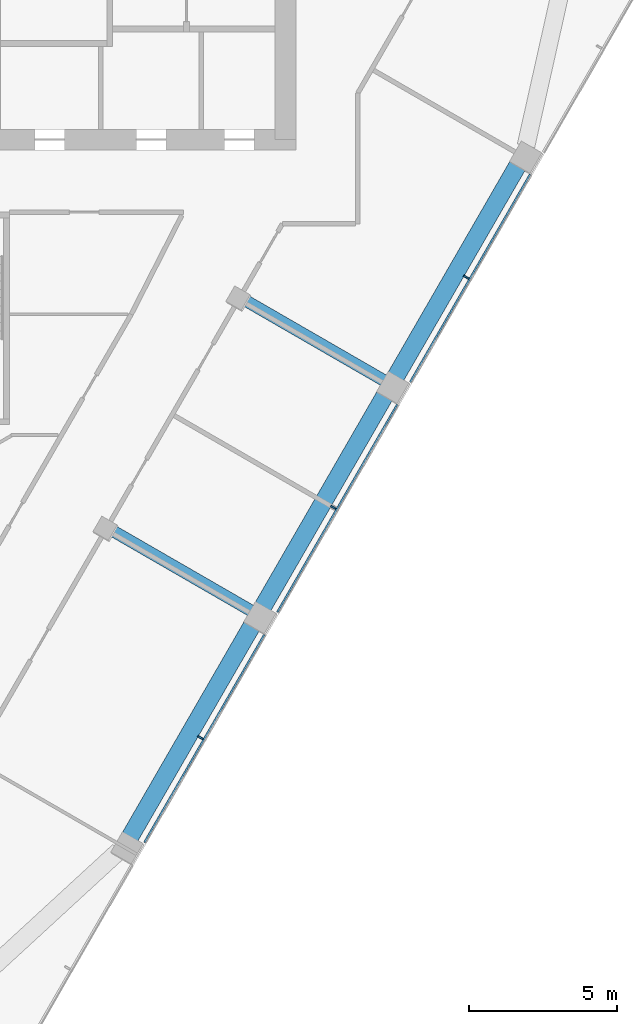
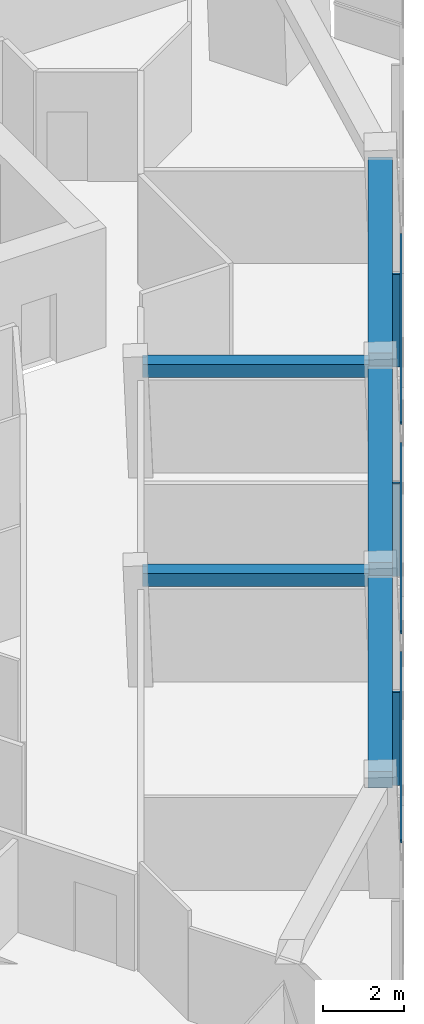
# One storey, part 4 of 13: 6 members, 5 beams, 1 element without a shape of its own.
"""IFC4 building model written with IfcOpenShell, lengths in metres."""

from ifc_helpers import new_model, si_unit, direction, frame, origin, origin_2d, place, context, subcontext, project, spatial, rectangle, extrude, material, layer, layer_set, material_profile, profile_set, type_object, element, aggregate, save


model = new_model("IFC4")

# Units and contexts
model_context = context("Model", 3, precision=1e-05, world=origin(), true_north=direction((0.0, 1.0)))
body_context = subcontext(model_context, "Body", "Model", "MODEL_VIEW")
ifc_project = project(units=[si_unit("LENGTHUNIT", "METRE"), si_unit("AREAUNIT", "SQUARE_METRE"), si_unit("VOLUMEUNIT", "CUBIC_METRE"), si_unit("PLANEANGLEUNIT", "RADIAN"), si_unit("MASSUNIT", "GRAM", prefix="KILO")], contexts=[model_context])

# Site, building, storey
site_placement = place(None, origin())
site = spatial("IfcSite", under=ifc_project, at=site_placement, CompositionType="ELEMENT")
building_placement = place(site_placement, origin())
building = spatial("IfcBuilding", under=site, at=building_placement, Name="Altiplano Prism Tower", CompositionType="ELEMENT")
storey_placement = place(building_placement, frame((0.0, 0.0, 208.800048828125)))
storey = spatial("IfcBuildingStorey", under=building, at=storey_placement, Name="L54", CompositionType="ELEMENT", Elevation=208.800048828125)

# Curtain wall, members
ifc_material_1 = material(Name="Aluminium and glass", Category="aluminium")
ifc_layer = layer(ifc_material_1, 0.303955078125)
ifc_layer_set = layer_set([ifc_layer], Name="Aluminium and glass")
curtain_wall_type = type_object("IfcCurtainWallType", Name="CW2 lounge-band unitised glazing", PredefinedType="NOTDEFINED", material=ifc_layer_set)
curtain_wall_placement = place(storey_placement, origin())
curtain_wall = element("IfcCurtainWall", 1, at=curtain_wall_placement, inside=storey, type_object=curtain_wall_type, Name="CW2 curtain wall south-east face L54", PredefinedType="NOTDEFINED")
ifc_material_2 = material(Name="Aluminium", Category="aluminium")
ifc_material_profile_1 = material_profile(ifc_material_2, rectangle(XDim=0.199951171875, YDim=0.06005859375, at=origin_2d()), Name="CW2 mullion 60 x 200")
ifc_profile_set_1 = profile_set([ifc_material_profile_1], Name="Aluminium")
member_type_1 = type_object("IfcMemberType", Name="CW2 mullion 60 x 200", PredefinedType="MULLION", material=ifc_profile_set_1)
member_1_placement = place(storey_placement, frame((94.470458984375, 72.804443359375, 0.0), z_axis=(0.0, 0.0, 1.0), x_axis=(-0.866025415618, 0.499999979504, 0.0)))
member_1 = element("IfcMember", 2, at=member_1_placement, type_object=member_type_1, Name="CW2 mullion", PredefinedType="MULLION", context=body_context, shape_type="SweptSolid", body=[
    extrude(rectangle(XDim=0.199951171875, YDim=0.06005859375, at=origin_2d()), origin(), (0.0, 0.0, 1.0), 2.800048828125),
])
member_2_placement = place(storey_placement, frame((98.970458984375, 80.5986328125, 0.0), z_axis=(0.0, 0.0, 1.0), x_axis=(-0.866025415618, 0.499999979504, 0.0)))
member_2 = element("IfcMember", 3, at=member_2_placement, type_object=member_type_1, Name="CW2 mullion", PredefinedType="MULLION", context=body_context, shape_type="SweptSolid", body=[
    extrude(rectangle(XDim=0.199951171875, YDim=0.06005859375, at=origin_2d()), origin(), (0.0, 0.0, 1.0), 2.800048828125),
])
member_3_placement = place(storey_placement, frame((103.470458984375, 88.392822265625, 0.0), z_axis=(0.0, 0.0, 1.0), x_axis=(-0.866025415618, 0.499999979504, 0.0)))
member_3 = element("IfcMember", 4, at=member_3_placement, type_object=member_type_1, Name="CW2 mullion", PredefinedType="MULLION", context=body_context, shape_type="SweptSolid", body=[
    extrude(rectangle(XDim=0.199951171875, YDim=0.06005859375, at=origin_2d()), origin(), (0.0, 0.0, 1.0), 2.800048828125),
])
ifc_material_profile_2 = material_profile(ifc_material_2, rectangle(XDim=0.06005859375, YDim=0.080078125, at=origin_2d()), Name="CW2 transom 80 x 60")
ifc_profile_set_2 = profile_set([ifc_material_profile_2], Name="Aluminium")
member_type_2 = type_object("IfcMemberType", Name="CW2 transom 80 x 60", PredefinedType="USERDEFINED", material=ifc_profile_set_2)
member_4_placement = place(storey_placement, frame((92.57275390625, 69.257568359375, 1.099853515625), z_axis=(0.499990533176, 0.866030869389, 0.0), x_axis=(-0.866030869389, 0.499990533176, 0.0)))
member_4 = element("IfcMember", 5, at=member_4_placement, type_object=member_type_2, Name="CW2 transom", ObjectType="TRANSOM", PredefinedType="USERDEFINED", context=body_context, shape_type="SweptSolid", body=[
    extrude(rectangle(XDim=0.06005859375, YDim=0.080078125, at=origin_2d()), origin(), (0.0, 0.0, 1.0), 8.119873046875),
])
member_5_placement = place(storey_placement, frame((97.07275390625, 77.0517578125, 1.099853515625), z_axis=(0.499990533176, 0.866030869389, 0.0), x_axis=(-0.866030869389, 0.499990533176, 0.0)))
member_5 = element("IfcMember", 6, at=member_5_placement, type_object=member_type_2, Name="CW2 transom", ObjectType="TRANSOM", PredefinedType="USERDEFINED", context=body_context, shape_type="SweptSolid", body=[
    extrude(rectangle(XDim=0.06005859375, YDim=0.080078125, at=origin_2d()), origin(), (0.0, 0.0, 1.0), 8.119873046875),
])
member_6_placement = place(storey_placement, frame((101.57275390625, 84.845947265625, 1.099853515625), z_axis=(0.499990533176, 0.866030869389, 0.0), x_axis=(-0.866030869389, 0.499990533176, 0.0)))
member_6 = element("IfcMember", 7, at=member_6_placement, type_object=member_type_2, Name="CW2 transom", ObjectType="TRANSOM", PredefinedType="USERDEFINED", context=body_context, shape_type="SweptSolid", body=[
    extrude(rectangle(XDim=0.06005859375, YDim=0.080078125, at=origin_2d()), origin(), (0.0, 0.0, 1.0), 8.119873046875),
])
aggregate(curtain_wall, [member_1, member_4, member_2, member_5, member_3, member_6])

# Beams
ifc_material_3 = material(Name="Concrete C60/75", Category="concrete")
ifc_material_profile_3 = material_profile(ifc_material_3, rectangle(XDim=0.60009765625, YDim=0.5, at=origin_2d()), Name="Edge beam 600x500")
ifc_profile_set_3 = profile_set([ifc_material_profile_3], Name="Concrete C60/75")
beam_type_1 = type_object("IfcBeamType", Name="Edge beam 600x500", PredefinedType="SPANDREL", material=ifc_profile_set_3)
for number, where, z_axis, x_axis, name in (
    (8, (92.0673828125, 69.411376953125, 3.050048828125), (0.500006240468, 0.866021800818, 0.0), (-0.866021800818, 0.500006240468, 0.0), "Edge beam P21-P22 L55"),
    (9, (96.5673828125, 77.20556640625, 3.050048828125), (0.500006240468, 0.866021800818, 0.0), (-0.866021800818, 0.500006240468, 0.0), "Edge beam P22-P23 L55"),
    (10, (101.0673828125, 84.999755859375, 3.050048828125), (0.499993714791, 0.866029032521, 0.0), (-0.866029032521, 0.499993714791, 0.0), "Edge beam P23-P24 L55"),
):
    element("IfcBeam", number, at=place(storey_placement, frame(where, z_axis=z_axis, x_axis=x_axis)), inside=storey, type_object=beam_type_1, Name=name, PredefinedType="SPANDREL", context=body_context, shape_type="SweptSolid", body=[
        extrude(rectangle(XDim=0.60009765625, YDim=0.5, at=origin_2d()), origin(), (0.0, 0.0, 1.0), 8.43994140625),
    ])
ifc_material_profile_4 = material_profile(ifc_material_3, rectangle(XDim=0.39990234375, YDim=0.39990234375, at=origin_2d()), Name="Tie beam 400x400")
ifc_profile_set_4 = profile_set([ifc_material_profile_4], Name="Concrete C60/75")
beam_type_2 = type_object("IfcBeamType", Name="Tie beam 400x400", PredefinedType="BEAM", material=ifc_profile_set_4)
for number, where, z_axis, x_axis, name in (
    (11, (91.34375, 79.89794921875, 3.099853515625), (0.866030670444, -0.499990877767, 0.0), (0.499990877767, 0.866030670444, 0.0), "Tie beam I22 L55"),
    (12, (95.84375, 87.692138671875, 3.099853515625), (0.866030670444, -0.499990877767, 0.0), (0.499990877767, 0.866030670444, 0.0), "Tie beam I23 L55"),
):
    element("IfcBeam", number, at=place(storey_placement, frame(where, z_axis=z_axis, x_axis=x_axis)), inside=storey, type_object=beam_type_2, Name=name, PredefinedType="BEAM", context=body_context, shape_type="SweptSolid", body=[
        extrude(rectangle(XDim=0.39990234375, YDim=0.39990234375, at=origin_2d()), origin(), (0.0, 0.0, 1.0), 5.58984375),
    ])

save(model, "model.ifc")
